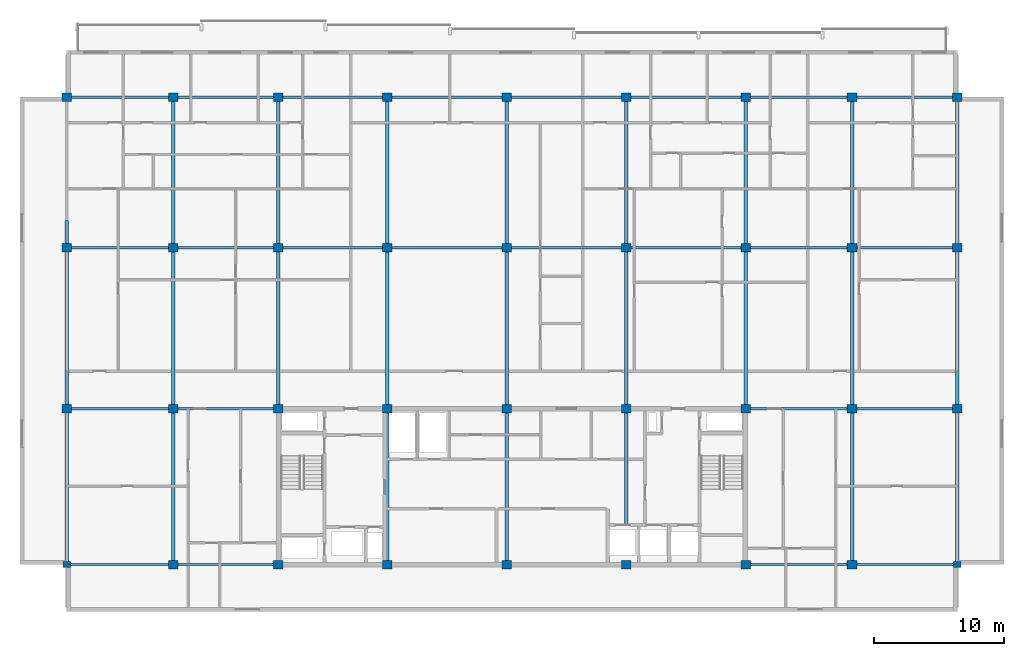
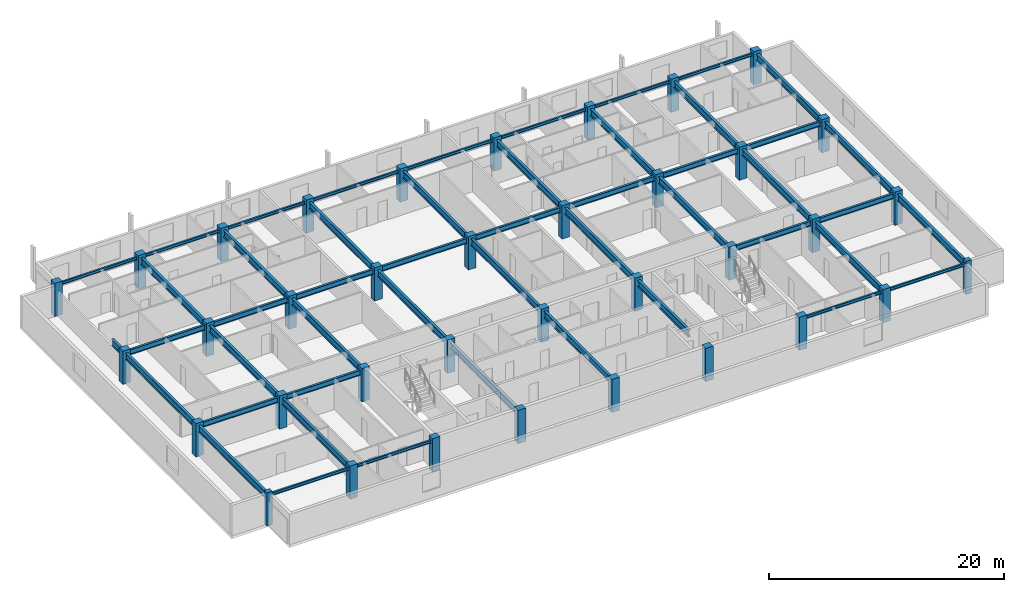
# One storey, part 1 of 10: 49 beams, 36 columns.
"""IFC4 building model written with IfcOpenShell, lengths in metres."""

from ifc_helpers import new_model, si_unit, direction, frame, origin, origin_2d, place, context, subcontext, project, spatial, rectangle, i_section, extrude, material, material_profile, profile_set, type_object, element, save


model = new_model("IFC4")

# Units and contexts
model_context = context("Model", 3, precision=1e-05, world=origin(), true_north=direction((0.0, 1.0)))
body_context = subcontext(model_context, "Body", "Model", "MODEL_VIEW")
ifc_project = project(units=[si_unit("LENGTHUNIT", "METRE"), si_unit("AREAUNIT", "SQUARE_METRE"), si_unit("VOLUMEUNIT", "CUBIC_METRE"), si_unit("PLANEANGLEUNIT", "RADIAN"), si_unit("MASSUNIT", "GRAM", prefix="KILO")], contexts=[model_context])

# Site, building, storey
site_placement = place(None, origin())
site = spatial("IfcSite", under=ifc_project, at=site_placement, CompositionType="ELEMENT")
building_placement = place(site_placement, origin())
building = spatial("IfcBuilding", under=site, at=building_placement, Name="Korimba Cascade Residences", CompositionType="ELEMENT")
storey_placement = place(building_placement, frame((0.0, 0.0, 235.550048828125)))
storey = spatial("IfcBuildingStorey", under=building, at=storey_placement, Name="L68", CompositionType="ELEMENT", Elevation=235.550048828125)

# Columns
ifc_material_1 = material(Name="Concrete C65/80", Category="concrete")
ifc_material_profile_1 = material_profile(ifc_material_1, rectangle(XDim=0.550048828125, YDim=0.449951171875, at=origin_2d()), Name="Concrete C65/80")
ifc_profile_set_1 = profile_set([ifc_material_profile_1], Name="Concrete C65/80")
column_type_1 = type_object("IfcColumnType", Name="COL-PIL-550", PredefinedType="PILASTER", material=ifc_profile_set_1)
for number, where, z_axis, x_axis, name in (
    (1, (59.800048828125, 55.199951171875, 0.0), (0.0, 0.0, 1.0), (1.0, 0.0, 0.0), "L68 Tower 1 Column 1.1"),
    (2, (128.39990234375, 55.199951171875, 0.0), (0.0, 0.0, 1.0), (1.0, 0.0, 0.0), "L68 Tower 1 Column 9.1"),
):
    element("IfcColumn", number, at=place(storey_placement, frame(where, z_axis=z_axis, x_axis=x_axis)), inside=storey, type_object=column_type_1, Name=name, PredefinedType="PILASTER", context=body_context, shape_type="SweptSolid", body=[
        extrude(rectangle(XDim=0.550048828125, YDim=0.449951171875, at=origin_2d()), origin(), (0.0, 0.0, 1.0), 3.449951171875),
    ])
ifc_material_2 = material(Name="Concrete C50/60", Category="concrete")
ifc_material_profile_2 = material_profile(ifc_material_2, rectangle(XDim=0.75, YDim=0.64990234375, at=origin_2d()), Name="Concrete C50/60")
ifc_profile_set_2 = profile_set([ifc_material_profile_2], Name="Concrete C50/60")
column_type_2 = type_object("IfcColumnType", Name="COL-RC-750", PredefinedType="COLUMN", material=ifc_profile_set_2)
for number, where, z_axis, x_axis, name in (
    (3, (59.800048828125, 67.199951171875, 0.0), (0.0, 0.0, 1.0), (1.0, 0.0, 0.0), "L68 Tower 1 Column 1.2"),
    (4, (59.800048828125, 79.60009765625, 0.0), (0.0, 0.0, 1.0), (1.0, 0.0, 0.0), "L68 Tower 1 Column 1.3"),
    (5, (59.800048828125, 91.199951171875, 0.0), (0.0, 0.0, 1.0), (1.0, 0.0, 0.0), "L68 Tower 1 Column 1.4"),
    (6, (68.0, 55.199951171875, 0.0), (0.0, 0.0, 1.0), (1.0, 0.0, 0.0), "L68 Tower 1 Column 2.1"),
    (7, (68.0, 67.199951171875, 0.0), (0.0, 0.0, 1.0), (1.0, 0.0, 0.0), "L68 Tower 1 Column 2.2"),
    (8, (68.0, 79.60009765625, 0.0), (0.0, 0.0, 1.0), (1.0, 0.0, 0.0), "L68 Tower 1 Column 2.3"),
    (9, (68.0, 91.199951171875, 0.0), (0.0, 0.0, 1.0), (1.0, 0.0, 0.0), "L68 Tower 1 Column 2.4"),
    (10, (76.10009765625, 55.199951171875, 0.0), (0.0, 0.0, 1.0), (1.0, 0.0, 0.0), "L68 Tower 1 Column 3.1"),
    (11, (76.10009765625, 67.199951171875, 0.0), (0.0, 0.0, 1.0), (1.0, 0.0, 0.0), "L68 Tower 1 Column 3.2"),
    (12, (76.10009765625, 79.60009765625, 0.0), (0.0, 0.0, 1.0), (1.0, 0.0, 0.0), "L68 Tower 1 Column 3.3"),
    (13, (76.10009765625, 91.199951171875, 0.0), (0.0, 0.0, 1.0), (1.0, 0.0, 0.0), "L68 Tower 1 Column 3.4"),
    (14, (84.5, 55.199951171875, 0.0), (0.0, 0.0, 1.0), (1.0, 0.0, 0.0), "L68 Tower 1 Column 4.1"),
    (15, (84.5, 67.199951171875, 0.0), (0.0, 0.0, 1.0), (1.0, 0.0, 0.0), "L68 Tower 1 Column 4.2"),
    (16, (84.5, 79.60009765625, 0.0), (0.0, 0.0, 1.0), (1.0, 0.0, 0.0), "L68 Tower 1 Column 4.3"),
    (17, (84.5, 91.199951171875, 0.0), (0.0, 0.0, 1.0), (1.0, 0.0, 0.0), "L68 Tower 1 Column 4.4"),
    (18, (93.699951171875, 55.199951171875, 0.0), (0.0, 0.0, 1.0), (1.0, 0.0, 0.0), "L68 Tower 1 Column 5.1"),
    (19, (93.699951171875, 67.199951171875, 0.0), (0.0, 0.0, 1.0), (1.0, 0.0, 0.0), "L68 Tower 1 Column 5.2"),
    (20, (93.699951171875, 79.60009765625, 0.0), (0.0, 0.0, 1.0), (1.0, 0.0, 0.0), "L68 Tower 1 Column 5.3"),
    (21, (93.699951171875, 91.199951171875, 0.0), (0.0, 0.0, 1.0), (1.0, 0.0, 0.0), "L68 Tower 1 Column 5.4"),
    (22, (102.89990234375, 55.199951171875, 0.0), (0.0, 0.0, 1.0), (1.0, 0.0, 0.0), "L68 Tower 1 Column 6.1"),
    (23, (102.89990234375, 67.199951171875, 0.0), (0.0, 0.0, 1.0), (1.0, 0.0, 0.0), "L68 Tower 1 Column 6.2"),
    (24, (102.89990234375, 79.60009765625, 0.0), (0.0, 0.0, 1.0), (1.0, 0.0, 0.0), "L68 Tower 1 Column 6.3"),
    (25, (102.89990234375, 91.199951171875, 0.0), (0.0, 0.0, 1.0), (1.0, 0.0, 0.0), "L68 Tower 1 Column 6.4"),
    (26, (112.10009765625, 55.199951171875, 0.0), (0.0, 0.0, 1.0), (1.0, 0.0, 0.0), "L68 Tower 1 Column 7.1"),
    (27, (112.10009765625, 67.199951171875, 0.0), (0.0, 0.0, 1.0), (1.0, 0.0, 0.0), "L68 Tower 1 Column 7.2"),
    (28, (112.10009765625, 79.60009765625, 0.0), (0.0, 0.0, 1.0), (1.0, 0.0, 0.0), "L68 Tower 1 Column 7.3"),
    (29, (112.10009765625, 91.199951171875, 0.0), (0.0, 0.0, 1.0), (1.0, 0.0, 0.0), "L68 Tower 1 Column 7.4"),
    (30, (120.300048828125, 55.199951171875, 0.0), (0.0, 0.0, 1.0), (1.0, 0.0, 0.0), "L68 Tower 1 Column 8.1"),
    (31, (120.300048828125, 67.199951171875, 0.0), (0.0, 0.0, 1.0), (1.0, 0.0, 0.0), "L68 Tower 1 Column 8.2"),
    (32, (120.300048828125, 79.60009765625, 0.0), (0.0, 0.0, 1.0), (1.0, 0.0, 0.0), "L68 Tower 1 Column 8.3"),
    (33, (120.300048828125, 91.199951171875, 0.0), (0.0, 0.0, 1.0), (1.0, 0.0, 0.0), "L68 Tower 1 Column 8.4"),
    (34, (128.39990234375, 67.199951171875, 0.0), (0.0, 0.0, 1.0), (1.0, 0.0, 0.0), "L68 Tower 1 Column 9.2"),
    (35, (128.39990234375, 79.60009765625, 0.0), (0.0, 0.0, 1.0), (1.0, 0.0, 0.0), "L68 Tower 1 Column 9.3"),
    (36, (128.39990234375, 91.199951171875, 0.0), (0.0, 0.0, 1.0), (1.0, 0.0, 0.0), "L68 Tower 1 Column 9.4"),
):
    element("IfcColumn", number, at=place(storey_placement, frame(where, z_axis=z_axis, x_axis=x_axis)), inside=storey, type_object=column_type_2, Name=name, PredefinedType="COLUMN", context=body_context, shape_type="SweptSolid", body=[
        extrude(rectangle(XDim=0.75, YDim=0.64990234375, at=origin_2d()), origin(), (0.0, 0.0, 1.0), 3.449951171875),
    ])

# Beams
ifc_material_3 = material(Name="Steel S355", Category="steel")
ifc_material_profile_3 = material_profile(ifc_material_3, i_section(OverallWidth=0.165771484375, OverallDepth=0.306640625, WebThickness=0.006591796875, FlangeThickness=0.01171875, FilletRadius=0.0087890625, at=origin_2d()), Name="Steel S355")
ifc_profile_set_3 = profile_set([ifc_material_profile_3], Name="Steel S355")
beam_type_1 = type_object("IfcBeamType", Name="BM-STL-UB305", PredefinedType="SPANDREL", material=ifc_profile_set_3)
beam_1_placement = place(storey_placement, frame((60.074951171875, 55.199951171875, 3.0166015625), z_axis=(1.0, 0.0, 0.0), x_axis=(0.0, 1.0, 0.0)))
element("IfcBeam", 37, at=beam_1_placement, inside=storey, type_object=beam_type_1, Name="L68 T1 E-W Girder Y1 Bay 1", PredefinedType="SPANDREL", context=body_context, shape_type="SweptSolid", body=[
    extrude(i_section(OverallWidth=0.165771484375, OverallDepth=0.306640625, WebThickness=0.006591796875, FlangeThickness=0.01171875, FilletRadius=0.0087890625, at=origin_2d()), origin(), (0.0, 0.0, 1.0), 7.550048828125),
])
beam_2_placement = place(storey_placement, frame((68.375, 55.199951171875, 3.0166015625), z_axis=(1.0, 0.0, 0.0), x_axis=(0.0, 1.0, 0.0)))
element("IfcBeam", 38, at=beam_2_placement, inside=storey, type_object=beam_type_1, Name="L68 T1 E-W Girder Y1 Bay 2", PredefinedType="SPANDREL", context=body_context, shape_type="SweptSolid", body=[
    extrude(i_section(OverallWidth=0.165771484375, OverallDepth=0.306640625, WebThickness=0.006591796875, FlangeThickness=0.01171875, FilletRadius=0.0087890625, at=origin_2d()), origin(), (0.0, 0.0, 1.0), 7.35009765625),
])
for number, where, z_axis, x_axis, name in (
    (39, (112.47509765625, 55.199951171875, 3.0166015625), (1.0, 0.0, 0.0), (0.0, 1.0, 0.0), "L68 T1 E-W Girder Y1 Bay 7"),
    (40, (120.675048828125, 55.199951171875, 3.0166015625), (1.0, 0.0, 0.0), (0.0, 1.0, 0.0), "L68 T1 E-W Girder Y1 Bay 8"),
    (41, (60.175048828125, 91.199951171875, 3.0166015625), (1.0, 0.0, 0.0), (0.0, 1.0, 0.0), "L68 T1 E-W Girder Y4 Bay 1"),
):
    element("IfcBeam", number, at=place(storey_placement, frame(where, z_axis=z_axis, x_axis=x_axis)), inside=storey, type_object=beam_type_1, Name=name, PredefinedType="SPANDREL", context=body_context, shape_type="SweptSolid", body=[
        extrude(i_section(OverallWidth=0.165771484375, OverallDepth=0.306640625, WebThickness=0.006591796875, FlangeThickness=0.01171875, FilletRadius=0.0087890625, at=origin_2d()), origin(), (0.0, 0.0, 1.0), 7.449951171875),
    ])
beam_3_placement = place(storey_placement, frame((68.375, 91.199951171875, 3.0166015625), z_axis=(1.0, 0.0, 0.0), x_axis=(0.0, 1.0, 0.0)))
element("IfcBeam", 42, at=beam_3_placement, inside=storey, type_object=beam_type_1, Name="L68 T1 E-W Girder Y4 Bay 2", PredefinedType="SPANDREL", context=body_context, shape_type="SweptSolid", body=[
    extrude(i_section(OverallWidth=0.165771484375, OverallDepth=0.306640625, WebThickness=0.006591796875, FlangeThickness=0.01171875, FilletRadius=0.0087890625, at=origin_2d()), origin(), (0.0, 0.0, 1.0), 7.35009765625),
])
beam_4_placement = place(storey_placement, frame((76.47509765625, 91.199951171875, 3.0166015625), z_axis=(1.0, 0.0, 0.0), x_axis=(0.0, 1.0, 0.0)))
element("IfcBeam", 43, at=beam_4_placement, inside=storey, type_object=beam_type_1, Name="L68 T1 E-W Girder Y4 Bay 3", PredefinedType="SPANDREL", context=body_context, shape_type="SweptSolid", body=[
    extrude(i_section(OverallWidth=0.165771484375, OverallDepth=0.306640625, WebThickness=0.006591796875, FlangeThickness=0.01171875, FilletRadius=0.0087890625, at=origin_2d()), origin(), (0.0, 0.0, 1.0), 7.64990234375),
])
for number, where, z_axis, x_axis, name in (
    (44, (84.875, 91.199951171875, 3.0166015625), (1.0, 0.0, 0.0), (0.0, 1.0, 0.0), "L68 T1 E-W Girder Y4 Bay 4"),
    (45, (94.074951171875, 91.199951171875, 3.0166015625), (1.0, 0.0, 0.0), (0.0, 1.0, 0.0), "L68 T1 E-W Girder Y4 Bay 5"),
):
    element("IfcBeam", number, at=place(storey_placement, frame(where, z_axis=z_axis, x_axis=x_axis)), inside=storey, type_object=beam_type_1, Name=name, PredefinedType="SPANDREL", context=body_context, shape_type="SweptSolid", body=[
        extrude(i_section(OverallWidth=0.165771484375, OverallDepth=0.306640625, WebThickness=0.006591796875, FlangeThickness=0.01171875, FilletRadius=0.0087890625, at=origin_2d()), origin(), (0.0, 0.0, 1.0), 8.449951171875),
    ])
beam_5_placement = place(storey_placement, frame((103.27490234375, 91.199951171875, 3.0166015625), z_axis=(1.0, 0.0, 0.0), x_axis=(0.0, 1.0, 0.0)))
element("IfcBeam", 46, at=beam_5_placement, inside=storey, type_object=beam_type_1, Name="L68 T1 E-W Girder Y4 Bay 6", PredefinedType="SPANDREL", context=body_context, shape_type="SweptSolid", body=[
    extrude(i_section(OverallWidth=0.165771484375, OverallDepth=0.306640625, WebThickness=0.006591796875, FlangeThickness=0.01171875, FilletRadius=0.0087890625, at=origin_2d()), origin(), (0.0, 0.0, 1.0), 8.4501953125),
])
beam_6_placement = place(storey_placement, frame((112.47509765625, 91.199951171875, 3.0166015625), z_axis=(1.0, 0.0, 0.0), x_axis=(0.0, 1.0, 0.0)))
element("IfcBeam", 47, at=beam_6_placement, inside=storey, type_object=beam_type_1, Name="L68 T1 E-W Girder Y4 Bay 7", PredefinedType="SPANDREL", context=body_context, shape_type="SweptSolid", body=[
    extrude(i_section(OverallWidth=0.165771484375, OverallDepth=0.306640625, WebThickness=0.006591796875, FlangeThickness=0.01171875, FilletRadius=0.0087890625, at=origin_2d()), origin(), (0.0, 0.0, 1.0), 7.449951171875),
])
beam_7_placement = place(storey_placement, frame((120.675048828125, 91.199951171875, 3.0166015625), z_axis=(1.0, 0.0, 0.0), x_axis=(0.0, 1.0, 0.0)))
element("IfcBeam", 48, at=beam_7_placement, inside=storey, type_object=beam_type_1, Name="L68 T1 E-W Girder Y4 Bay 8", PredefinedType="SPANDREL", context=body_context, shape_type="SweptSolid", body=[
    extrude(i_section(OverallWidth=0.165771484375, OverallDepth=0.306640625, WebThickness=0.006591796875, FlangeThickness=0.01171875, FilletRadius=0.0087890625, at=origin_2d()), origin(), (0.0, 0.0, 1.0), 7.349853515625),
])
ifc_material_profile_4 = material_profile(ifc_material_3, i_section(OverallWidth=0.2099609375, OverallDepth=0.53662109375, WebThickness=0.0107421875, FlangeThickness=0.017333984375, FilletRadius=0.0126953125, at=origin_2d()), Name="Steel S355")
ifc_profile_set_4 = profile_set([ifc_material_profile_4], Name="Steel S355")
beam_type_2 = type_object("IfcBeamType", Name="BM-STL-UB533", PredefinedType="BEAM", material=ifc_profile_set_4)
beam_8_placement = place(storey_placement, frame((60.175048828125, 67.199951171875, 2.901611328125), z_axis=(1.0, 0.0, 0.0), x_axis=(0.0, 1.0, 0.0)))
element("IfcBeam", 49, at=beam_8_placement, inside=storey, type_object=beam_type_2, Name="L68 T1 E-W Girder Y2 Bay 1", PredefinedType="BEAM", context=body_context, shape_type="SweptSolid", body=[
    extrude(i_section(OverallWidth=0.2099609375, OverallDepth=0.53662109375, WebThickness=0.0107421875, FlangeThickness=0.017333984375, FilletRadius=0.0126953125, at=origin_2d()), origin(), (0.0, 0.0, 1.0), 7.449951171875),
])
beam_9_placement = place(storey_placement, frame((68.375, 67.199951171875, 2.901611328125), z_axis=(1.0, 0.0, 0.0), x_axis=(0.0, 1.0, 0.0)))
element("IfcBeam", 50, at=beam_9_placement, inside=storey, type_object=beam_type_2, Name="L68 T1 E-W Girder Y2 Bay 2", PredefinedType="BEAM", context=body_context, shape_type="SweptSolid", body=[
    extrude(i_section(OverallWidth=0.2099609375, OverallDepth=0.53662109375, WebThickness=0.0107421875, FlangeThickness=0.017333984375, FilletRadius=0.0126953125, at=origin_2d()), origin(), (0.0, 0.0, 1.0), 7.35009765625),
])
beam_10_placement = place(storey_placement, frame((112.47509765625, 67.199951171875, 2.901611328125), z_axis=(1.0, 0.0, 0.0), x_axis=(0.0, 1.0, 0.0)))
element("IfcBeam", 51, at=beam_10_placement, inside=storey, type_object=beam_type_2, Name="L68 T1 E-W Girder Y2 Bay 7", PredefinedType="BEAM", context=body_context, shape_type="SweptSolid", body=[
    extrude(i_section(OverallWidth=0.2099609375, OverallDepth=0.53662109375, WebThickness=0.0107421875, FlangeThickness=0.017333984375, FilletRadius=0.0126953125, at=origin_2d()), origin(), (0.0, 0.0, 1.0), 7.449951171875),
])
beam_11_placement = place(storey_placement, frame((120.675048828125, 67.199951171875, 2.901611328125), z_axis=(1.0, 0.0, 0.0), x_axis=(0.0, 1.0, 0.0)))
element("IfcBeam", 52, at=beam_11_placement, inside=storey, type_object=beam_type_2, Name="L68 T1 E-W Girder Y2 Bay 8", PredefinedType="BEAM", context=body_context, shape_type="SweptSolid", body=[
    extrude(i_section(OverallWidth=0.2099609375, OverallDepth=0.53662109375, WebThickness=0.0107421875, FlangeThickness=0.017333984375, FilletRadius=0.0126953125, at=origin_2d()), origin(), (0.0, 0.0, 1.0), 7.349853515625),
])
beam_12_placement = place(storey_placement, frame((60.175048828125, 79.60009765625, 2.901611328125), z_axis=(1.0, 0.0, 0.0), x_axis=(0.0, 1.0, 0.0)))
element("IfcBeam", 53, at=beam_12_placement, inside=storey, type_object=beam_type_2, Name="L68 T1 E-W Girder Y3 Bay 1", PredefinedType="BEAM", context=body_context, shape_type="SweptSolid", body=[
    extrude(i_section(OverallWidth=0.2099609375, OverallDepth=0.53662109375, WebThickness=0.0107421875, FlangeThickness=0.017333984375, FilletRadius=0.0126953125, at=origin_2d()), origin(), (0.0, 0.0, 1.0), 7.449951171875),
])
beam_13_placement = place(storey_placement, frame((68.375, 79.60009765625, 2.901611328125), z_axis=(1.0, 0.0, 0.0), x_axis=(0.0, 1.0, 0.0)))
element("IfcBeam", 54, at=beam_13_placement, inside=storey, type_object=beam_type_2, Name="L68 T1 E-W Girder Y3 Bay 2", PredefinedType="BEAM", context=body_context, shape_type="SweptSolid", body=[
    extrude(i_section(OverallWidth=0.2099609375, OverallDepth=0.53662109375, WebThickness=0.0107421875, FlangeThickness=0.017333984375, FilletRadius=0.0126953125, at=origin_2d()), origin(), (0.0, 0.0, 1.0), 7.35009765625),
])
beam_14_placement = place(storey_placement, frame((76.47509765625, 79.60009765625, 2.901611328125), z_axis=(1.0, 0.0, 0.0), x_axis=(0.0, 1.0, 0.0)))
element("IfcBeam", 55, at=beam_14_placement, inside=storey, type_object=beam_type_2, Name="L68 T1 E-W Girder Y3 Bay 3", PredefinedType="BEAM", context=body_context, shape_type="SweptSolid", body=[
    extrude(i_section(OverallWidth=0.2099609375, OverallDepth=0.53662109375, WebThickness=0.0107421875, FlangeThickness=0.017333984375, FilletRadius=0.0126953125, at=origin_2d()), origin(), (0.0, 0.0, 1.0), 7.64990234375),
])
for number, where, z_axis, x_axis, name in (
    (56, (84.875, 79.60009765625, 2.901611328125), (1.0, 0.0, 0.0), (0.0, 1.0, 0.0), "L68 T1 E-W Girder Y3 Bay 4"),
    (57, (94.074951171875, 79.60009765625, 2.901611328125), (1.0, 0.0, 0.0), (0.0, 1.0, 0.0), "L68 T1 E-W Girder Y3 Bay 5"),
):
    element("IfcBeam", number, at=place(storey_placement, frame(where, z_axis=z_axis, x_axis=x_axis)), inside=storey, type_object=beam_type_2, Name=name, PredefinedType="BEAM", context=body_context, shape_type="SweptSolid", body=[
        extrude(i_section(OverallWidth=0.2099609375, OverallDepth=0.53662109375, WebThickness=0.0107421875, FlangeThickness=0.017333984375, FilletRadius=0.0126953125, at=origin_2d()), origin(), (0.0, 0.0, 1.0), 8.449951171875),
    ])
beam_15_placement = place(storey_placement, frame((103.27490234375, 79.60009765625, 2.901611328125), z_axis=(1.0, 0.0, 0.0), x_axis=(0.0, 1.0, 0.0)))
element("IfcBeam", 58, at=beam_15_placement, inside=storey, type_object=beam_type_2, Name="L68 T1 E-W Girder Y3 Bay 6", PredefinedType="BEAM", context=body_context, shape_type="SweptSolid", body=[
    extrude(i_section(OverallWidth=0.2099609375, OverallDepth=0.53662109375, WebThickness=0.0107421875, FlangeThickness=0.017333984375, FilletRadius=0.0126953125, at=origin_2d()), origin(), (0.0, 0.0, 1.0), 8.4501953125),
])
beam_16_placement = place(storey_placement, frame((112.47509765625, 79.60009765625, 2.901611328125), z_axis=(1.0, 0.0, 0.0), x_axis=(0.0, 1.0, 0.0)))
element("IfcBeam", 59, at=beam_16_placement, inside=storey, type_object=beam_type_2, Name="L68 T1 E-W Girder Y3 Bay 7", PredefinedType="BEAM", context=body_context, shape_type="SweptSolid", body=[
    extrude(i_section(OverallWidth=0.2099609375, OverallDepth=0.53662109375, WebThickness=0.0107421875, FlangeThickness=0.017333984375, FilletRadius=0.0126953125, at=origin_2d()), origin(), (0.0, 0.0, 1.0), 7.449951171875),
])
beam_17_placement = place(storey_placement, frame((120.675048828125, 79.60009765625, 2.901611328125), z_axis=(1.0, 0.0, 0.0), x_axis=(0.0, 1.0, 0.0)))
element("IfcBeam", 60, at=beam_17_placement, inside=storey, type_object=beam_type_2, Name="L68 T1 E-W Girder Y3 Bay 8", PredefinedType="BEAM", context=body_context, shape_type="SweptSolid", body=[
    extrude(i_section(OverallWidth=0.2099609375, OverallDepth=0.53662109375, WebThickness=0.0107421875, FlangeThickness=0.017333984375, FilletRadius=0.0126953125, at=origin_2d()), origin(), (0.0, 0.0, 1.0), 7.349853515625),
])
ifc_material_profile_5 = material_profile(ifc_material_3, i_section(OverallWidth=0.255859375, OverallDepth=0.69287109375, WebThickness=0.014404296875, FlangeThickness=0.023681640625, FilletRadius=0.01513671875, at=origin_2d()), Name="Steel S355")
ifc_profile_set_5 = profile_set([ifc_material_profile_5], Name="Steel S355")
beam_type_3 = type_object("IfcBeamType", Name="BM-STL-UB686", PredefinedType="BEAM", material=ifc_profile_set_5)
beam_18_placement = place(storey_placement, frame((59.800048828125, 55.425048828125, 2.823486328125), z_axis=(0.0, 1.0, 0.0), x_axis=(-1.0, 0.0, 0.0)))
element("IfcBeam", 61, at=beam_18_placement, inside=storey, type_object=beam_type_3, Name="L68 T1 N-S Girder X1 Seg 1", PredefinedType="BEAM", context=body_context, shape_type="SweptSolid", body=[
    extrude(i_section(OverallWidth=0.255859375, OverallDepth=0.69287109375, WebThickness=0.014404296875, FlangeThickness=0.023681640625, FilletRadius=0.01513671875, at=origin_2d()), origin(), (0.0, 0.0, 1.0), 11.449951171875),
])
beam_19_placement = place(storey_placement, frame((59.800048828125, 67.52490234375, 2.823486328125), z_axis=(0.0, 1.0, 0.0), x_axis=(-1.0, 0.0, 0.0)))
element("IfcBeam", 62, at=beam_19_placement, inside=storey, type_object=beam_type_3, Name="L68 T1 N-S Girder X1 Seg 2", PredefinedType="BEAM", context=body_context, shape_type="SweptSolid", body=[
    extrude(i_section(OverallWidth=0.255859375, OverallDepth=0.69287109375, WebThickness=0.014404296875, FlangeThickness=0.023681640625, FilletRadius=0.01513671875, at=origin_2d()), origin(), (0.0, 0.0, 1.0), 11.75),
])
beam_20_placement = place(storey_placement, frame((59.800048828125, 79.925048828125, 2.823486328125), z_axis=(0.0, 1.0, 0.0), x_axis=(-1.0, 0.0, 0.0)))
element("IfcBeam", 63, at=beam_20_placement, inside=storey, type_object=beam_type_3, Name="L68 T1 N-S Girder X1 Seg 3", PredefinedType="BEAM", context=body_context, shape_type="SweptSolid", body=[
    extrude(i_section(OverallWidth=0.255859375, OverallDepth=0.69287109375, WebThickness=0.014404296875, FlangeThickness=0.023681640625, FilletRadius=0.01513671875, at=origin_2d()), origin(), (0.0, 0.0, 1.0), 1.77490234375),
])
beam_21_placement = place(storey_placement, frame((68.0, 55.52490234375, 2.823486328125), z_axis=(0.0, 1.0, 0.0), x_axis=(-1.0, 0.0, 0.0)))
element("IfcBeam", 64, at=beam_21_placement, inside=storey, type_object=beam_type_3, Name="L68 T1 N-S Girder X2 Seg 1", PredefinedType="BEAM", context=body_context, shape_type="SweptSolid", body=[
    extrude(i_section(OverallWidth=0.255859375, OverallDepth=0.69287109375, WebThickness=0.014404296875, FlangeThickness=0.023681640625, FilletRadius=0.01513671875, at=origin_2d()), origin(), (0.0, 0.0, 1.0), 11.35009765625),
])
beam_22_placement = place(storey_placement, frame((68.0, 67.52490234375, 2.823486328125), z_axis=(0.0, 1.0, 0.0), x_axis=(-1.0, 0.0, 0.0)))
element("IfcBeam", 65, at=beam_22_placement, inside=storey, type_object=beam_type_3, Name="L68 T1 N-S Girder X2 Seg 2", PredefinedType="BEAM", context=body_context, shape_type="SweptSolid", body=[
    extrude(i_section(OverallWidth=0.255859375, OverallDepth=0.69287109375, WebThickness=0.014404296875, FlangeThickness=0.023681640625, FilletRadius=0.01513671875, at=origin_2d()), origin(), (0.0, 0.0, 1.0), 11.75),
])
beam_23_placement = place(storey_placement, frame((68.0, 79.925048828125, 2.823486328125), z_axis=(0.0, 1.0, 0.0), x_axis=(-1.0, 0.0, 0.0)))
element("IfcBeam", 66, at=beam_23_placement, inside=storey, type_object=beam_type_3, Name="L68 T1 N-S Girder X2 Seg 3", PredefinedType="BEAM", context=body_context, shape_type="SweptSolid", body=[
    extrude(i_section(OverallWidth=0.255859375, OverallDepth=0.69287109375, WebThickness=0.014404296875, FlangeThickness=0.023681640625, FilletRadius=0.01513671875, at=origin_2d()), origin(), (0.0, 0.0, 1.0), 10.949951171875),
])
beam_24_placement = place(storey_placement, frame((76.10009765625, 67.52490234375, 2.823486328125), z_axis=(0.0, 1.0, 0.0), x_axis=(-1.0, 0.0, 0.0)))
element("IfcBeam", 67, at=beam_24_placement, inside=storey, type_object=beam_type_3, Name="L68 T1 N-S Girder X3 Seg 2", PredefinedType="BEAM", context=body_context, shape_type="SweptSolid", body=[
    extrude(i_section(OverallWidth=0.255859375, OverallDepth=0.69287109375, WebThickness=0.014404296875, FlangeThickness=0.023681640625, FilletRadius=0.01513671875, at=origin_2d()), origin(), (0.0, 0.0, 1.0), 11.75),
])
beam_25_placement = place(storey_placement, frame((76.10009765625, 79.925048828125, 2.823486328125), z_axis=(0.0, 1.0, 0.0), x_axis=(-1.0, 0.0, 0.0)))
element("IfcBeam", 68, at=beam_25_placement, inside=storey, type_object=beam_type_3, Name="L68 T1 N-S Girder X3 Seg 3", PredefinedType="BEAM", context=body_context, shape_type="SweptSolid", body=[
    extrude(i_section(OverallWidth=0.255859375, OverallDepth=0.69287109375, WebThickness=0.014404296875, FlangeThickness=0.023681640625, FilletRadius=0.01513671875, at=origin_2d()), origin(), (0.0, 0.0, 1.0), 10.949951171875),
])
beam_26_placement = place(storey_placement, frame((84.5, 55.52490234375, 2.823486328125), z_axis=(0.0, 1.0, 0.0), x_axis=(-1.0, 0.0, 0.0)))
element("IfcBeam", 69, at=beam_26_placement, inside=storey, type_object=beam_type_3, Name="L68 T1 N-S Girder X4 Seg 1", PredefinedType="BEAM", context=body_context, shape_type="SweptSolid", body=[
    extrude(i_section(OverallWidth=0.255859375, OverallDepth=0.69287109375, WebThickness=0.014404296875, FlangeThickness=0.023681640625, FilletRadius=0.01513671875, at=origin_2d()), origin(), (0.0, 0.0, 1.0), 11.35009765625),
])
beam_27_placement = place(storey_placement, frame((84.5, 67.52490234375, 2.823486328125), z_axis=(0.0, 1.0, 0.0), x_axis=(-1.0, 0.0, 0.0)))
element("IfcBeam", 70, at=beam_27_placement, inside=storey, type_object=beam_type_3, Name="L68 T1 N-S Girder X4 Seg 2", PredefinedType="BEAM", context=body_context, shape_type="SweptSolid", body=[
    extrude(i_section(OverallWidth=0.255859375, OverallDepth=0.69287109375, WebThickness=0.014404296875, FlangeThickness=0.023681640625, FilletRadius=0.01513671875, at=origin_2d()), origin(), (0.0, 0.0, 1.0), 11.75),
])
beam_28_placement = place(storey_placement, frame((84.5, 79.925048828125, 2.823486328125), z_axis=(0.0, 1.0, 0.0), x_axis=(-1.0, 0.0, 0.0)))
element("IfcBeam", 71, at=beam_28_placement, inside=storey, type_object=beam_type_3, Name="L68 T1 N-S Girder X4 Seg 3", PredefinedType="BEAM", context=body_context, shape_type="SweptSolid", body=[
    extrude(i_section(OverallWidth=0.255859375, OverallDepth=0.69287109375, WebThickness=0.014404296875, FlangeThickness=0.023681640625, FilletRadius=0.01513671875, at=origin_2d()), origin(), (0.0, 0.0, 1.0), 10.949951171875),
])
beam_29_placement = place(storey_placement, frame((93.699951171875, 55.52490234375, 2.823486328125), z_axis=(0.0, 1.0, 0.0), x_axis=(-1.0, 0.0, 0.0)))
element("IfcBeam", 72, at=beam_29_placement, inside=storey, type_object=beam_type_3, Name="L68 T1 N-S Girder X5 Seg 1", PredefinedType="BEAM", context=body_context, shape_type="SweptSolid", body=[
    extrude(i_section(OverallWidth=0.255859375, OverallDepth=0.69287109375, WebThickness=0.014404296875, FlangeThickness=0.023681640625, FilletRadius=0.01513671875, at=origin_2d()), origin(), (0.0, 0.0, 1.0), 11.35009765625),
])
beam_30_placement = place(storey_placement, frame((93.699951171875, 67.52490234375, 2.823486328125), z_axis=(0.0, 1.0, 0.0), x_axis=(-1.0, 0.0, 0.0)))
element("IfcBeam", 73, at=beam_30_placement, inside=storey, type_object=beam_type_3, Name="L68 T1 N-S Girder X5 Seg 2", PredefinedType="BEAM", context=body_context, shape_type="SweptSolid", body=[
    extrude(i_section(OverallWidth=0.255859375, OverallDepth=0.69287109375, WebThickness=0.014404296875, FlangeThickness=0.023681640625, FilletRadius=0.01513671875, at=origin_2d()), origin(), (0.0, 0.0, 1.0), 11.75),
])
beam_31_placement = place(storey_placement, frame((93.699951171875, 79.925048828125, 2.823486328125), z_axis=(0.0, 1.0, 0.0), x_axis=(-1.0, 0.0, 0.0)))
element("IfcBeam", 74, at=beam_31_placement, inside=storey, type_object=beam_type_3, Name="L68 T1 N-S Girder X5 Seg 3", PredefinedType="BEAM", context=body_context, shape_type="SweptSolid", body=[
    extrude(i_section(OverallWidth=0.255859375, OverallDepth=0.69287109375, WebThickness=0.014404296875, FlangeThickness=0.023681640625, FilletRadius=0.01513671875, at=origin_2d()), origin(), (0.0, 0.0, 1.0), 10.949951171875),
])
beam_32_placement = place(storey_placement, frame((102.89990234375, 58.260009765625, 2.823486328125), z_axis=(0.0, 1.0, 0.0), x_axis=(-1.0, 0.0, 0.0)))
element("IfcBeam", 75, at=beam_32_placement, inside=storey, type_object=beam_type_3, Name="L68 T1 N-S Girder X6 Seg 1", PredefinedType="BEAM", context=body_context, shape_type="SweptSolid", body=[
    extrude(i_section(OverallWidth=0.255859375, OverallDepth=0.69287109375, WebThickness=0.014404296875, FlangeThickness=0.023681640625, FilletRadius=0.01513671875, at=origin_2d()), origin(), (0.0, 0.0, 1.0), 8.614990234375),
])
beam_33_placement = place(storey_placement, frame((102.89990234375, 67.52490234375, 2.823486328125), z_axis=(0.0, 1.0, 0.0), x_axis=(-1.0, 0.0, 0.0)))
element("IfcBeam", 76, at=beam_33_placement, inside=storey, type_object=beam_type_3, Name="L68 T1 N-S Girder X6 Seg 2", PredefinedType="BEAM", context=body_context, shape_type="SweptSolid", body=[
    extrude(i_section(OverallWidth=0.255859375, OverallDepth=0.69287109375, WebThickness=0.014404296875, FlangeThickness=0.023681640625, FilletRadius=0.01513671875, at=origin_2d()), origin(), (0.0, 0.0, 1.0), 11.75),
])
beam_34_placement = place(storey_placement, frame((102.89990234375, 79.925048828125, 2.823486328125), z_axis=(0.0, 1.0, 0.0), x_axis=(-1.0, 0.0, 0.0)))
element("IfcBeam", 77, at=beam_34_placement, inside=storey, type_object=beam_type_3, Name="L68 T1 N-S Girder X6 Seg 3", PredefinedType="BEAM", context=body_context, shape_type="SweptSolid", body=[
    extrude(i_section(OverallWidth=0.255859375, OverallDepth=0.69287109375, WebThickness=0.014404296875, FlangeThickness=0.023681640625, FilletRadius=0.01513671875, at=origin_2d()), origin(), (0.0, 0.0, 1.0), 10.949951171875),
])
beam_35_placement = place(storey_placement, frame((112.10009765625, 67.52490234375, 2.823486328125), z_axis=(0.0, 1.0, 0.0), x_axis=(-1.0, 0.0, 0.0)))
element("IfcBeam", 78, at=beam_35_placement, inside=storey, type_object=beam_type_3, Name="L68 T1 N-S Girder X7 Seg 2", PredefinedType="BEAM", context=body_context, shape_type="SweptSolid", body=[
    extrude(i_section(OverallWidth=0.255859375, OverallDepth=0.69287109375, WebThickness=0.014404296875, FlangeThickness=0.023681640625, FilletRadius=0.01513671875, at=origin_2d()), origin(), (0.0, 0.0, 1.0), 11.75),
])
beam_36_placement = place(storey_placement, frame((112.10009765625, 79.925048828125, 2.823486328125), z_axis=(0.0, 1.0, 0.0), x_axis=(-1.0, 0.0, 0.0)))
element("IfcBeam", 79, at=beam_36_placement, inside=storey, type_object=beam_type_3, Name="L68 T1 N-S Girder X7 Seg 3", PredefinedType="BEAM", context=body_context, shape_type="SweptSolid", body=[
    extrude(i_section(OverallWidth=0.255859375, OverallDepth=0.69287109375, WebThickness=0.014404296875, FlangeThickness=0.023681640625, FilletRadius=0.01513671875, at=origin_2d()), origin(), (0.0, 0.0, 1.0), 10.949951171875),
])
beam_37_placement = place(storey_placement, frame((120.300048828125, 55.52490234375, 2.823486328125), z_axis=(0.0, 1.0, 0.0), x_axis=(-1.0, 0.0, 0.0)))
element("IfcBeam", 80, at=beam_37_placement, inside=storey, type_object=beam_type_3, Name="L68 T1 N-S Girder X8 Seg 1", PredefinedType="BEAM", context=body_context, shape_type="SweptSolid", body=[
    extrude(i_section(OverallWidth=0.255859375, OverallDepth=0.69287109375, WebThickness=0.014404296875, FlangeThickness=0.023681640625, FilletRadius=0.01513671875, at=origin_2d()), origin(), (0.0, 0.0, 1.0), 11.35009765625),
])
beam_38_placement = place(storey_placement, frame((120.300048828125, 67.52490234375, 2.823486328125), z_axis=(0.0, 1.0, 0.0), x_axis=(-1.0, 0.0, 0.0)))
element("IfcBeam", 81, at=beam_38_placement, inside=storey, type_object=beam_type_3, Name="L68 T1 N-S Girder X8 Seg 2", PredefinedType="BEAM", context=body_context, shape_type="SweptSolid", body=[
    extrude(i_section(OverallWidth=0.255859375, OverallDepth=0.69287109375, WebThickness=0.014404296875, FlangeThickness=0.023681640625, FilletRadius=0.01513671875, at=origin_2d()), origin(), (0.0, 0.0, 1.0), 11.75),
])
beam_39_placement = place(storey_placement, frame((120.300048828125, 79.925048828125, 2.823486328125), z_axis=(0.0, 1.0, 0.0), x_axis=(-1.0, 0.0, 0.0)))
element("IfcBeam", 82, at=beam_39_placement, inside=storey, type_object=beam_type_3, Name="L68 T1 N-S Girder X8 Seg 3", PredefinedType="BEAM", context=body_context, shape_type="SweptSolid", body=[
    extrude(i_section(OverallWidth=0.255859375, OverallDepth=0.69287109375, WebThickness=0.014404296875, FlangeThickness=0.023681640625, FilletRadius=0.01513671875, at=origin_2d()), origin(), (0.0, 0.0, 1.0), 10.949951171875),
])
beam_40_placement = place(storey_placement, frame((128.39990234375, 55.425048828125, 2.823486328125), z_axis=(0.0, 1.0, 0.0), x_axis=(-1.0, 0.0, 0.0)))
element("IfcBeam", 83, at=beam_40_placement, inside=storey, type_object=beam_type_3, Name="L68 T1 N-S Girder X9 Seg 1", PredefinedType="BEAM", context=body_context, shape_type="SweptSolid", body=[
    extrude(i_section(OverallWidth=0.255859375, OverallDepth=0.69287109375, WebThickness=0.014404296875, FlangeThickness=0.023681640625, FilletRadius=0.01513671875, at=origin_2d()), origin(), (0.0, 0.0, 1.0), 11.449951171875),
])
beam_41_placement = place(storey_placement, frame((128.39990234375, 67.52490234375, 2.823486328125), z_axis=(0.0, 1.0, 0.0), x_axis=(-1.0, 0.0, 0.0)))
element("IfcBeam", 84, at=beam_41_placement, inside=storey, type_object=beam_type_3, Name="L68 T1 N-S Girder X9 Seg 2", PredefinedType="BEAM", context=body_context, shape_type="SweptSolid", body=[
    extrude(i_section(OverallWidth=0.255859375, OverallDepth=0.69287109375, WebThickness=0.014404296875, FlangeThickness=0.023681640625, FilletRadius=0.01513671875, at=origin_2d()), origin(), (0.0, 0.0, 1.0), 11.75),
])
beam_42_placement = place(storey_placement, frame((128.39990234375, 79.925048828125, 2.823486328125), z_axis=(0.0, 1.0, 0.0), x_axis=(-1.0, 0.0, 0.0)))
element("IfcBeam", 85, at=beam_42_placement, inside=storey, type_object=beam_type_3, Name="L68 T1 N-S Girder X9 Seg 3", PredefinedType="BEAM", context=body_context, shape_type="SweptSolid", body=[
    extrude(i_section(OverallWidth=0.255859375, OverallDepth=0.69287109375, WebThickness=0.014404296875, FlangeThickness=0.023681640625, FilletRadius=0.01513671875, at=origin_2d()), origin(), (0.0, 0.0, 1.0), 10.949951171875),
])

save(model, "model.ifc")
